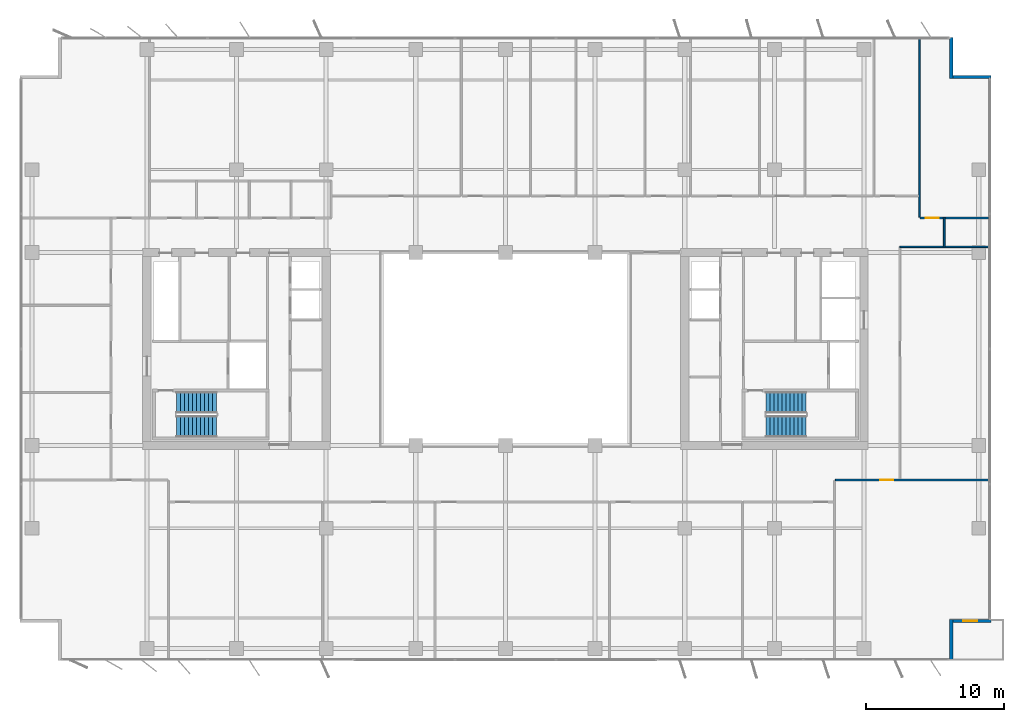
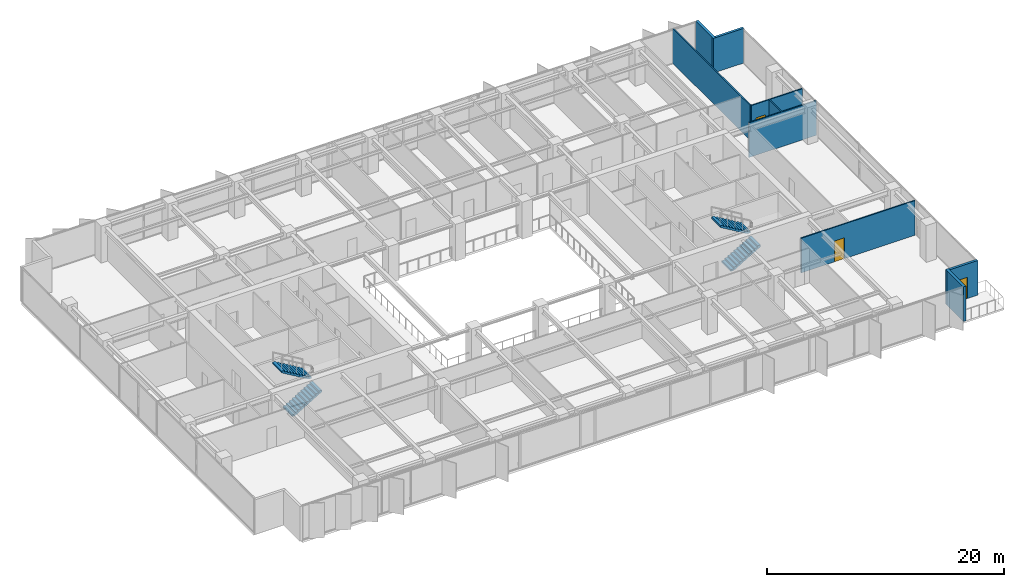
# One storey, part 18 of 22: 9 walls, 4 stair flights, 3 doors, 3 openings, 2 elements without a shape of their own.
"""IFC4 building model written with IfcOpenShell, lengths in metres."""

from ifc_helpers import new_model, si_unit, direction, frame, frame_2d, origin, place, context, subcontext, project, spatial, polyline, rectangle, outline, extrude, material, layer, layer_set, type_object, element, fill, aggregate, save


model = new_model("IFC4")

# Units and contexts
model_context = context("Model", 3, precision=1e-05, world=origin(), true_north=direction((0.0, 1.0)))
body_context = subcontext(model_context, "Body", "Model", "MODEL_VIEW")
ifc_project = project(units=[si_unit("LENGTHUNIT", "METRE"), si_unit("AREAUNIT", "SQUARE_METRE"), si_unit("VOLUMEUNIT", "CUBIC_METRE"), si_unit("PLANEANGLEUNIT", "RADIAN"), si_unit("MASSUNIT", "GRAM", prefix="KILO")], contexts=[model_context])

# Site, building, storey
site_placement = place(None, origin())
site = spatial("IfcSite", under=ifc_project, at=site_placement, CompositionType="ELEMENT")
building_placement = place(site_placement, origin())
building = spatial("IfcBuilding", under=site, at=building_placement, Name="Putna Gate Headquarters", CompositionType="ELEMENT")
storey_placement = place(building_placement, frame((0.0, 0.0, 186.0)))
storey = spatial("IfcBuildingStorey", under=building, at=storey_placement, Name="L46", CompositionType="ELEMENT", Elevation=186.0)

# Walls
ifc_material_1 = material(Name="Precast concrete C40/50", Category="concrete")
ifc_layer_1 = layer(ifc_material_1, 0.239990234375)
ifc_layer_set_1 = layer_set([ifc_layer_1], Name="Precast concrete C40/50")
wall_type_1 = type_object("IfcWallType", Name="WALL-EXT-TERR-240", PredefinedType="STANDARD", material=ifc_layer_set_1)
for number, where, z_axis, x_axis, name in (
    (1, (71.320068359375, 48.60009765625, 0.0), (0.0, 0.0, 1.0), (0.0, -1.0, 0.0), "L46 Corner Notch Return Wall NE-V"),
    (2, (71.199951171875, 45.719970703125, 0.0), (0.0, 0.0, 1.0), (1.0, 0.0, 0.0), "L46 Corner Notch Return Wall NE-H"),
    (3, (71.320068359375, 6.39990234375, 0.0), (0.0, 0.0, 1.0), (0.0, -1.0, 0.0), "L46 Corner Notch Return Wall SE-V"),
):
    element("IfcWall", number, at=place(storey_placement, frame(where, z_axis=z_axis, x_axis=x_axis)), inside=storey, type_object=wall_type_1, Name=name, PredefinedType="STANDARD", context=body_context, shape_type="SweptSolid", body=[
        extrude(rectangle(XDim=3.0, YDim=0.239990234375, at=frame_2d((1.5, 0.0))), origin(), (0.0, 0.0, 1.0), 3.572021484375),
    ])

# Wall, opening, door
wall_1_placement = place(storey_placement, frame((74.199951171875, 6.280029296875, 0.0), z_axis=(0.0, 0.0, 1.0), x_axis=(-1.0, 0.0, 0.0)))
wall_1 = element("IfcWall", 4, at=wall_1_placement, inside=storey, type_object=wall_type_1, Name="L46 Corner Notch Return Wall SE-H", PredefinedType="STANDARD", context=body_context, shape_type="SweptSolid", body=[
    extrude(rectangle(XDim=3.0, YDim=0.239990234375, at=frame_2d((1.5, 0.0))), origin(), (0.0, 0.0, 1.0), 3.572021484375),
])
opening_1_placement = place(wall_1_placement, frame((1.0, 0.0, 0.0)))
opening_1 = element("IfcOpeningElement", 5, at=opening_1_placement, cuts=wall_1, Name="Opening TRD-1", PredefinedType="OPENING", context=body_context, shape_type="SweptSolid", body=[
    extrude(rectangle(XDim=1.0, YDim=2.199951171875, at=frame_2d((0.5, 1.10009765625))), frame((0.0, 0.1298828125, 0.0), z_axis=(0.0, -1.0, 0.0), x_axis=(1.0, 0.0, 0.0)), (0.0, 0.0, 1.0), 0.260009765625),
])
ifc_material_2 = material(Name="Thermally broken bronze glazed terrace door")
door_type_1 = type_object("IfcDoorType", Name="DOOR-TERR-EXT-1000", OperationType="NOTDEFINED", PredefinedType="DOOR", material=ifc_material_2)
door_1_placement = place(opening_1_placement, origin())
door_1 = element("IfcDoor", 6, at=door_1_placement, inside=storey, type_object=door_type_1, Name="L46 Spiral Sky Terrace Door SE", OperationType="SINGLE_SWING_RIGHT", OverallHeight=2.199951171875, OverallWidth=1.0, PredefinedType="DOOR", context=body_context, shape_type="SweptSolid", body=[
    extrude(rectangle(XDim=1.0, YDim=2.199951171875, at=frame_2d((0.5, 1.10009765625))), frame((0.0, 0.02490234375, 0.0), z_axis=(0.0, -1.0, 0.0), x_axis=(1.0, 0.0, 0.0)), (0.0, 0.0, 1.0), 0.050048828125),
])
fill(opening_1, door_1)

# Walls
ifc_material_3 = material(Name="Acoustic gypsum board on metal stud")
ifc_layer_2 = layer(ifc_material_3, 0.1201171875)
ifc_layer_set_2 = layer_set([ifc_layer_2], Name="Acoustic gypsum board on metal stud")
wall_type_2 = type_object("IfcWallType", Name="WALL-PART-120", PredefinedType="PARTITIONING", material=ifc_layer_set_2)
wall_2_placement = place(storey_placement, frame((69.013427734375, 35.56005859375, 0.0), z_axis=(0.0, 0.0, 1.0), x_axis=(0.0, 1.0, 0.0)))
element("IfcWall", 7, at=wall_2_placement, inside=storey, type_object=wall_type_2, Name="L46 Interior Wall PART-L46-NB-DIV-10", PredefinedType="PARTITIONING", context=body_context, shape_type="SweptSolid", body=[
    extrude(rectangle(XDim=13.02001953125, YDim=0.1201171875, at=frame_2d((6.510009765625, 0.0))), origin(), (0.0, 0.0, 1.0), 3.572021484375),
])
ifc_material_4 = material(Name="Fire-rated gypsum board on metal stud")
ifc_layer_3 = layer(ifc_material_4, 0.1201171875)
ifc_layer_set_3 = layer_set([ifc_layer_3], Name="Fire-rated gypsum board on metal stud")
wall_type_3 = type_object("IfcWallType", Name="WALL-PART-120-RATED", PredefinedType="PARTITIONING", material=ifc_layer_set_3)
wall_3_placement = place(storey_placement, frame((70.8134765625, 33.39990234375, 0.0), z_axis=(0.0, 0.0, 1.0), x_axis=(0.0, 1.0, 0.0)))
element("IfcWall", 8, at=wall_3_placement, inside=storey, type_object=wall_type_3, Name="L46 Interior Wall PART-L46-CORRN-CAPE", PredefinedType="PARTITIONING", context=body_context, shape_type="SweptSolid", body=[
    extrude(rectangle(XDim=2.10009765625, YDim=0.1201171875, at=frame_2d((1.050048828125, 0.0))), origin(), (0.0, 0.0, 1.0), 3.572021484375),
])

# Wall, opening, door
wall_4_placement = place(storey_placement, frame((69.073486328125, 35.5, 0.0), z_axis=(0.0, 0.0, 1.0), x_axis=(1.0, 0.0, 0.0)))
wall_4 = element("IfcWall", 9, at=wall_4_placement, inside=storey, type_object=wall_type_3, Name="L46 Interior Wall PART-L46-NB-CW-11", PredefinedType="PARTITIONING", context=body_context, shape_type="SweptSolid", body=[
    extrude(rectangle(XDim=4.946533203125, YDim=0.1201171875, at=frame_2d((2.47314453125, 0.0))), origin(), (0.0, 0.0, 1.0), 3.572021484375),
])
opening_2_placement = place(wall_4_placement, frame((0.39501953125, 0.0, 0.0)))
opening_2 = element("IfcOpeningElement", 10, at=opening_2_placement, cuts=wall_4, Name="Opening FD-95", PredefinedType="OPENING", context=body_context, shape_type="SweptSolid", body=[
    extrude(rectangle(XDim=0.949951171875, YDim=2.14990234375, at=frame_2d((0.47509765625, 1.074951171875))), frame((0.0, 0.070068359375, 0.0), z_axis=(0.0, -1.0, 0.0), x_axis=(1.0, 0.0, 0.0)), (0.0, 0.0, 1.0), 0.14013671875),
])
ifc_material_5 = material(Name="Acoustic timber fire door", Category="wood")
door_type_2 = type_object("IfcDoorType", Name="DOOR-FIRE-950", OperationType="NOTDEFINED", PredefinedType="DOOR", material=ifc_material_5)
door_2_placement = place(opening_2_placement, origin())
door_2 = element("IfcDoor", 11, at=door_2_placement, inside=storey, type_object=door_type_2, Name="L46 Conference Meeting Room 4 Door", OperationType="SINGLE_SWING_RIGHT", OverallHeight=2.14990234375, OverallWidth=0.949951171875, PredefinedType="DOOR", context=body_context, shape_type="SweptSolid", body=[
    extrude(rectangle(XDim=0.949951171875, YDim=2.14990234375, at=frame_2d((0.47509765625, 1.074951171875))), frame((0.0, 0.02490234375, 0.0), z_axis=(0.0, -1.0, 0.0), x_axis=(1.0, 0.0, 0.0)), (0.0, 0.0, 1.0), 0.050048828125),
])
fill(opening_2, door_2)

wall_5_placement = place(storey_placement, frame((62.9296875, 16.5, 0.0), z_axis=(0.0, 0.0, 1.0), x_axis=(1.0, 0.0, 0.0)))
wall_5 = element("IfcWall", 12, at=wall_5_placement, inside=storey, type_object=wall_type_3, Name="L46 Interior Wall PART-L46-SB-CW-07", PredefinedType="PARTITIONING", context=body_context, shape_type="SweptSolid", body=[
    extrude(rectangle(XDim=11.09033203125, YDim=0.1201171875, at=frame_2d((5.545166015625, 0.0))), origin(), (0.0, 0.0, 1.0), 3.572021484375),
])
opening_3_placement = place(wall_5_placement, frame((3.240478515625, 0.0, 0.0)))
opening_3 = element("IfcOpeningElement", 13, at=opening_3_placement, cuts=wall_5, Name="Opening FD-95", PredefinedType="OPENING", context=body_context, shape_type="SweptSolid", body=[
    extrude(rectangle(XDim=0.949951171875, YDim=2.14990234375, at=frame_2d((0.47509765625, 1.074951171875))), frame((0.0, 0.070068359375, 0.0), z_axis=(0.0, -1.0, 0.0), x_axis=(1.0, 0.0, 0.0)), (0.0, 0.0, 1.0), 0.14013671875),
])
door_3_placement = place(opening_3_placement, origin())
door_3 = element("IfcDoor", 14, at=door_3_placement, inside=storey, type_object=door_type_2, Name="L46 Conference Meeting Room 6 Door", OperationType="SINGLE_SWING_LEFT", OverallHeight=2.14990234375, OverallWidth=0.949951171875, PredefinedType="DOOR", context=body_context, shape_type="SweptSolid", body=[
    extrude(rectangle(XDim=0.949951171875, YDim=2.14990234375, at=frame_2d((0.47509765625, 1.074951171875))), frame((0.0, 0.02490234375, 0.0), z_axis=(0.0, -1.0, 0.0), x_axis=(1.0, 0.0, 0.0)), (0.0, 0.0, 1.0), 0.050048828125),
])
fill(opening_3, door_3)

# Wall
wall_6_placement = place(storey_placement, frame((67.60009765625, 33.39990234375, 0.0), z_axis=(0.0, 0.0, 1.0), x_axis=(1.0, 0.0, 0.0)))
element("IfcWall", 15, at=wall_6_placement, inside=storey, type_object=wall_type_3, Name="L46 Interior Wall PART-L46-EW-N-BOUND", PredefinedType="PARTITIONING", context=body_context, shape_type="SweptSolid", body=[
    extrude(rectangle(XDim=6.579833984375, YDim=0.1201171875, at=frame_2d((3.2900390625, 0.0))), origin(), (0.0, 0.0, 1.0), 3.572021484375),
])

# Stair, stair flights
ifc_material_6 = material(Name="Concrete C40/50", Category="concrete")
stair_type_1 = type_object("IfcStairType", Name="STAIR-ST1", PredefinedType="HALF_TURN_STAIR", material=ifc_material_6)
stair_1_placement = place(storey_placement, origin())
stair_1 = element("IfcStair", 16, at=stair_1_placement, inside=storey, type_object=stair_type_1, Name="L46 West Core Exit Stair ST1", PredefinedType="HALF_TURN_STAIR")
stair_flight_type_1 = type_object("IfcStairFlightType", Name="FLIGHT-ST1", PredefinedType="STRAIGHT", material=ifc_material_6)
stair_flight_1_placement = place(storey_placement, frame((15.14990234375, 20.375, 0.0), z_axis=(0.0, 0.0, 1.0), x_axis=(1.0, 0.0, 0.0)))
stair_flight_1 = element("IfcStairFlight", 17, at=stair_flight_1_placement, type_object=stair_flight_type_1, Name="ST1 flight 1", NumberOfRisers=11, NumberOfTreads=10, PredefinedType="STRAIGHT", RiserHeight=0.172727273, TreadLength=0.29, context=body_context, shape_type="SweptSolid", body=[
    extrude(outline(polyline([(0.0, 0.0), (0.0, 0.172607421875), (0.2900390625, 0.172607421875), (0.2900390625, 0.345458984375), (0.580078125, 0.345458984375), (0.580078125, 0.51806640625), (0.8701171875, 0.51806640625), (0.8701171875, 0.69091796875), (1.159912109375, 0.69091796875), (1.159912109375, 0.863525390625), (1.449951171875, 0.863525390625), (1.449951171875, 1.036376953125), (1.739990234375, 1.036376953125), (1.739990234375, 1.208984375), (2.030029296875, 1.208984375), (2.030029296875, 1.3818359375), (2.320068359375, 1.3818359375), (2.320068359375, 1.554443359375), (2.610107421875, 1.554443359375), (2.610107421875, 1.727294921875), (2.89990234375, 1.727294921875), (2.89990234375, 1.89990234375), (2.89990234375, 1.552734375), (0.29296875, 0.0), (0.0, 0.0)])), frame((0.0, 0.77490234375, 0.0), z_axis=(0.0, -1.0, 0.0), x_axis=(1.0, 0.0, 0.0)), (0.0, 0.0, 1.0), 1.550048828125),
])
stair_flight_2_placement = place(storey_placement, frame((18.050048828125, 22.125, 1.89990234375), z_axis=(0.0, 0.0, 1.0), x_axis=(-1.0, 0.0, 0.0)))
stair_flight_2 = element("IfcStairFlight", 18, at=stair_flight_2_placement, type_object=stair_flight_type_1, Name="ST1 flight 2", NumberOfRisers=11, NumberOfTreads=10, PredefinedType="STRAIGHT", RiserHeight=0.172727273, TreadLength=0.29, context=body_context, shape_type="SweptSolid", body=[
    extrude(outline(polyline([(0.0, 0.0), (0.0, 0.172607421875), (0.2900390625, 0.172607421875), (0.2900390625, 0.345458984375), (0.580078125, 0.345458984375), (0.580078125, 0.51806640625), (0.8701171875, 0.51806640625), (0.8701171875, 0.69091796875), (1.159912109375, 0.69091796875), (1.159912109375, 0.863525390625), (1.449951171875, 0.863525390625), (1.449951171875, 1.036376953125), (1.739990234375, 1.036376953125), (1.739990234375, 1.208984375), (2.030029296875, 1.208984375), (2.030029296875, 1.3818359375), (2.320068359375, 1.3818359375), (2.320068359375, 1.554443359375), (2.610107421875, 1.554443359375), (2.610107421875, 1.727294921875), (2.89990234375, 1.727294921875), (2.89990234375, 1.89990234375), (2.89990234375, 1.552734375), (0.29296875, 0.0), (0.0, 0.0)])), frame((0.0, 0.77490234375, 0.0), z_axis=(0.0, -1.0, 0.0), x_axis=(1.0, 0.0, 0.0)), (0.0, 0.0, 1.0), 1.550048828125),
])
aggregate(stair_1, [stair_flight_1, stair_flight_2])

stair_type_2 = type_object("IfcStairType", Name="STAIR-ST2", PredefinedType="HALF_TURN_STAIR", material=ifc_material_6)
stair_2_placement = place(storey_placement, origin())
stair_2 = element("IfcStair", 19, at=stair_2_placement, inside=storey, type_object=stair_type_2, Name="L46 East Core Exit Stair ST2", PredefinedType="HALF_TURN_STAIR")
stair_flight_type_2 = type_object("IfcStairFlightType", Name="FLIGHT-ST2", PredefinedType="STRAIGHT", material=ifc_material_6)
stair_flight_3_placement = place(storey_placement, frame((57.89990234375, 20.375, 0.0), z_axis=(0.0, 0.0, 1.0), x_axis=(1.0, 0.0, 0.0)))
stair_flight_3 = element("IfcStairFlight", 20, at=stair_flight_3_placement, type_object=stair_flight_type_2, Name="ST2 flight 1", NumberOfRisers=11, NumberOfTreads=10, PredefinedType="STRAIGHT", RiserHeight=0.172727273, TreadLength=0.29, context=body_context, shape_type="SweptSolid", body=[
    extrude(outline(polyline([(0.0, 0.0), (0.0, 0.172607421875), (0.2900390625, 0.172607421875), (0.2900390625, 0.345458984375), (0.580078125, 0.345458984375), (0.580078125, 0.51806640625), (0.8701171875, 0.51806640625), (0.8701171875, 0.69091796875), (1.159912109375, 0.69091796875), (1.159912109375, 0.863525390625), (1.449951171875, 0.863525390625), (1.449951171875, 1.036376953125), (1.739990234375, 1.036376953125), (1.739990234375, 1.208984375), (2.030029296875, 1.208984375), (2.030029296875, 1.3818359375), (2.320068359375, 1.3818359375), (2.320068359375, 1.554443359375), (2.610107421875, 1.554443359375), (2.610107421875, 1.727294921875), (2.89990234375, 1.727294921875), (2.89990234375, 1.89990234375), (2.89990234375, 1.552734375), (0.29296875, 0.0), (0.0, 0.0)])), frame((0.0, 0.77490234375, 0.0), z_axis=(0.0, -1.0, 0.0), x_axis=(1.0, 0.0, 0.0)), (0.0, 0.0, 1.0), 1.550048828125),
])
stair_flight_4_placement = place(storey_placement, frame((60.800048828125, 22.125, 1.89990234375), z_axis=(0.0, 0.0, 1.0), x_axis=(-1.0, 0.0, 0.0)))
stair_flight_4 = element("IfcStairFlight", 21, at=stair_flight_4_placement, type_object=stair_flight_type_2, Name="ST2 flight 2", NumberOfRisers=11, NumberOfTreads=10, PredefinedType="STRAIGHT", RiserHeight=0.172727273, TreadLength=0.29, context=body_context, shape_type="SweptSolid", body=[
    extrude(outline(polyline([(0.0, 0.0), (0.0, 0.172607421875), (0.2900390625, 0.172607421875), (0.2900390625, 0.345458984375), (0.580078125, 0.345458984375), (0.580078125, 0.51806640625), (0.8701171875, 0.51806640625), (0.8701171875, 0.69091796875), (1.159912109375, 0.69091796875), (1.159912109375, 0.863525390625), (1.449951171875, 0.863525390625), (1.449951171875, 1.036376953125), (1.739990234375, 1.036376953125), (1.739990234375, 1.208984375), (2.030029296875, 1.208984375), (2.030029296875, 1.3818359375), (2.320068359375, 1.3818359375), (2.320068359375, 1.554443359375), (2.610107421875, 1.554443359375), (2.610107421875, 1.727294921875), (2.89990234375, 1.727294921875), (2.89990234375, 1.89990234375), (2.89990234375, 1.552734375), (0.29296875, 0.0), (0.0, 0.0)])), frame((0.0, 0.77490234375, 0.0), z_axis=(0.0, -1.0, 0.0), x_axis=(1.0, 0.0, 0.0)), (0.0, 0.0, 1.0), 1.550048828125),
])
aggregate(stair_2, [stair_flight_3, stair_flight_4])

save(model, "model.ifc")
